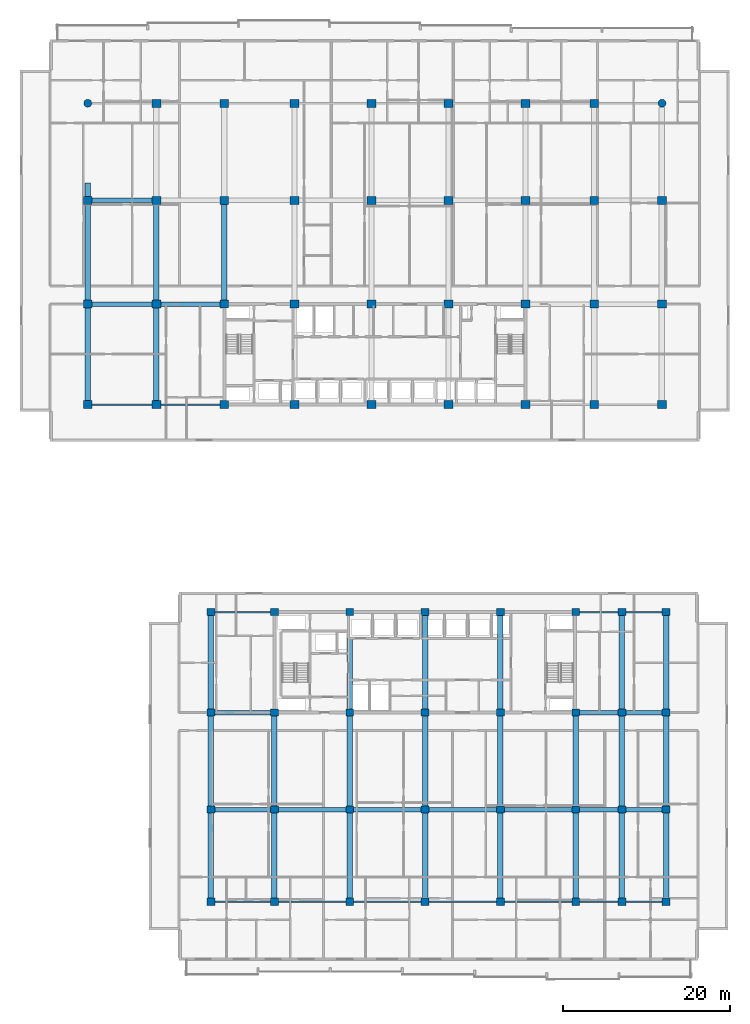
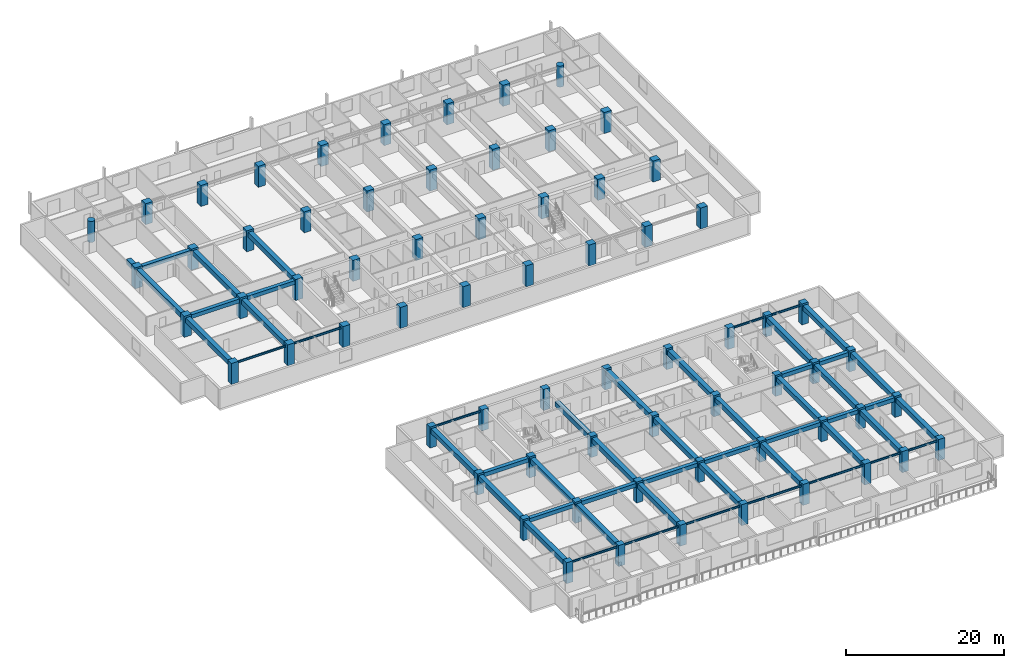
# One storey, part 1 of 23: 68 columns, 53 beams.
"""IFC4 building model written with IfcOpenShell, lengths in metres."""

from ifc_helpers import new_model, si_unit, direction, frame, origin, origin_2d, place, context, subcontext, project, spatial, rectangle, circle, i_section, extrude, material, material_profile, profile_set, type_object, element, save


model = new_model("IFC4")

# Units and contexts
model_context = context("Model", 3, precision=1e-05, world=origin(), true_north=direction((0.0, 1.0)))
body_context = subcontext(model_context, "Body", "Model", "MODEL_VIEW")
ifc_project = project(units=[si_unit("LENGTHUNIT", "METRE"), si_unit("AREAUNIT", "SQUARE_METRE"), si_unit("VOLUMEUNIT", "CUBIC_METRE"), si_unit("PLANEANGLEUNIT", "RADIAN"), si_unit("MASSUNIT", "GRAM", prefix="KILO")], contexts=[model_context])

# Site, building, storey
site_placement = place(None, origin())
site = spatial("IfcSite", under=ifc_project, at=site_placement, CompositionType="ELEMENT")
building_placement = place(site_placement, origin())
building = spatial("IfcBuilding", under=site, at=building_placement, Name="Korimba Cascade Residences", CompositionType="ELEMENT")
storey_placement = place(building_placement, frame((0.0, 0.0, 50.0)))
storey = spatial("IfcBuildingStorey", under=building, at=storey_placement, Name="L13", CompositionType="ELEMENT", Elevation=50.0)

# Columns
ifc_material_1 = material(Name="Concrete C80/95", Category="concrete")
ifc_material_profile_1 = material_profile(ifc_material_1, rectangle(XDim=1.050048828125, YDim=0.949951171875, at=origin_2d()), Name="Concrete C80/95")
ifc_profile_set_1 = profile_set([ifc_material_profile_1], Name="Concrete C80/95")
column_type_1 = type_object("IfcColumnType", Name="COL-RC-1050", PredefinedType="COLUMN", material=ifc_profile_set_1)
for number, where, z_axis, x_axis, name in (
    (1, (59.800048828125, 55.199951171875, 0.0), (0.0, 0.0, 1.0), (1.0, 0.0, 0.0), "L13 Tower 1 Column 1.1"),
    (2, (59.800048828125, 67.199951171875, 0.0), (0.0, 0.0, 1.0), (1.0, 0.0, 0.0), "L13 Tower 1 Column 1.2"),
    (3, (59.800048828125, 79.60009765625, 0.0), (0.0, 0.0, 1.0), (1.0, 0.0, 0.0), "L13 Tower 1 Column 1.3"),
    (4, (68.0, 55.199951171875, 0.0), (0.0, 0.0, 1.0), (1.0, 0.0, 0.0), "L13 Tower 1 Column 2.1"),
    (5, (68.0, 67.199951171875, 0.0), (0.0, 0.0, 1.0), (1.0, 0.0, 0.0), "L13 Tower 1 Column 2.2"),
    (6, (68.0, 79.60009765625, 0.0), (0.0, 0.0, 1.0), (1.0, 0.0, 0.0), "L13 Tower 1 Column 2.3"),
    (7, (68.0, 91.199951171875, 0.0), (0.0, 0.0, 1.0), (1.0, 0.0, 0.0), "L13 Tower 1 Column 2.4"),
    (8, (76.10009765625, 55.199951171875, 0.0), (0.0, 0.0, 1.0), (1.0, 0.0, 0.0), "L13 Tower 1 Column 3.1"),
    (9, (76.10009765625, 67.199951171875, 0.0), (0.0, 0.0, 1.0), (1.0, 0.0, 0.0), "L13 Tower 1 Column 3.2"),
    (10, (76.10009765625, 79.60009765625, 0.0), (0.0, 0.0, 1.0), (1.0, 0.0, 0.0), "L13 Tower 1 Column 3.3"),
    (11, (76.10009765625, 91.199951171875, 0.0), (0.0, 0.0, 1.0), (1.0, 0.0, 0.0), "L13 Tower 1 Column 3.4"),
    (12, (84.5, 55.199951171875, 0.0), (0.0, 0.0, 1.0), (1.0, 0.0, 0.0), "L13 Tower 1 Column 4.1"),
    (13, (84.5, 67.199951171875, 0.0), (0.0, 0.0, 1.0), (1.0, 0.0, 0.0), "L13 Tower 1 Column 4.2"),
    (14, (84.5, 79.60009765625, 0.0), (0.0, 0.0, 1.0), (1.0, 0.0, 0.0), "L13 Tower 1 Column 4.3"),
    (15, (84.5, 91.199951171875, 0.0), (0.0, 0.0, 1.0), (1.0, 0.0, 0.0), "L13 Tower 1 Column 4.4"),
    (16, (93.699951171875, 55.199951171875, 0.0), (0.0, 0.0, 1.0), (1.0, 0.0, 0.0), "L13 Tower 1 Column 5.1"),
    (17, (93.699951171875, 67.199951171875, 0.0), (0.0, 0.0, 1.0), (1.0, 0.0, 0.0), "L13 Tower 1 Column 5.2"),
    (18, (93.699951171875, 79.60009765625, 0.0), (0.0, 0.0, 1.0), (1.0, 0.0, 0.0), "L13 Tower 1 Column 5.3"),
    (19, (93.699951171875, 91.199951171875, 0.0), (0.0, 0.0, 1.0), (1.0, 0.0, 0.0), "L13 Tower 1 Column 5.4"),
    (20, (102.89990234375, 55.199951171875, 0.0), (0.0, 0.0, 1.0), (1.0, 0.0, 0.0), "L13 Tower 1 Column 6.1"),
    (21, (102.89990234375, 67.199951171875, 0.0), (0.0, 0.0, 1.0), (1.0, 0.0, 0.0), "L13 Tower 1 Column 6.2"),
    (22, (102.89990234375, 79.60009765625, 0.0), (0.0, 0.0, 1.0), (1.0, 0.0, 0.0), "L13 Tower 1 Column 6.3"),
    (23, (102.89990234375, 91.199951171875, 0.0), (0.0, 0.0, 1.0), (1.0, 0.0, 0.0), "L13 Tower 1 Column 6.4"),
    (24, (112.10009765625, 55.199951171875, 0.0), (0.0, 0.0, 1.0), (1.0, 0.0, 0.0), "L13 Tower 1 Column 7.1"),
    (25, (112.10009765625, 67.199951171875, 0.0), (0.0, 0.0, 1.0), (1.0, 0.0, 0.0), "L13 Tower 1 Column 7.2"),
    (26, (112.10009765625, 79.60009765625, 0.0), (0.0, 0.0, 1.0), (1.0, 0.0, 0.0), "L13 Tower 1 Column 7.3"),
    (27, (112.10009765625, 91.199951171875, 0.0), (0.0, 0.0, 1.0), (1.0, 0.0, 0.0), "L13 Tower 1 Column 7.4"),
    (28, (120.300048828125, 55.199951171875, 0.0), (0.0, 0.0, 1.0), (1.0, 0.0, 0.0), "L13 Tower 1 Column 8.1"),
    (29, (120.300048828125, 67.199951171875, 0.0), (0.0, 0.0, 1.0), (1.0, 0.0, 0.0), "L13 Tower 1 Column 8.2"),
    (30, (120.300048828125, 79.60009765625, 0.0), (0.0, 0.0, 1.0), (1.0, 0.0, 0.0), "L13 Tower 1 Column 8.3"),
    (31, (120.300048828125, 91.199951171875, 0.0), (0.0, 0.0, 1.0), (1.0, 0.0, 0.0), "L13 Tower 1 Column 8.4"),
    (32, (128.39990234375, 55.199951171875, 0.0), (0.0, 0.0, 1.0), (1.0, 0.0, 0.0), "L13 Tower 1 Column 9.1"),
    (33, (128.39990234375, 67.199951171875, 0.0), (0.0, 0.0, 1.0), (1.0, 0.0, 0.0), "L13 Tower 1 Column 9.2"),
    (34, (128.39990234375, 79.60009765625, 0.0), (0.0, 0.0, 1.0), (1.0, 0.0, 0.0), "L13 Tower 1 Column 9.3"),
):
    element("IfcColumn", number, at=place(storey_placement, frame(where, z_axis=z_axis, x_axis=x_axis)), inside=storey, type_object=column_type_1, Name=name, PredefinedType="COLUMN", context=body_context, shape_type="SweptSolid", body=[
        extrude(rectangle(XDim=1.050048828125, YDim=0.949951171875, at=origin_2d()), origin(), (0.0, 0.0, 1.0), 3.25),
    ])
ifc_material_2 = material(Name="Concrete C65/80", Category="concrete")
ifc_material_profile_2 = material_profile(ifc_material_2, rectangle(XDim=0.949951171875, YDim=0.85009765625, at=origin_2d()), Name="Concrete C65/80")
ifc_profile_set_2 = profile_set([ifc_material_profile_2], Name="Concrete C65/80")
column_type_2 = type_object("IfcColumnType", Name="COL-RC-950", PredefinedType="COLUMN", material=ifc_profile_set_2)
for number, where, z_axis, x_axis, name in (
    (35, (74.5, -4.199951171875, 0.0), (0.0, 0.0, 1.0), (1.0, 0.0, 0.0), "L13 Tower 2 Column 1.1"),
    (36, (74.5, 6.800048828125, 0.0), (0.0, 0.0, 1.0), (1.0, 0.0, 0.0), "L13 Tower 2 Column 1.2"),
    (37, (74.5, 18.39990234375, 0.0), (0.0, 0.0, 1.0), (1.0, 0.0, 0.0), "L13 Tower 2 Column 1.3"),
    (38, (74.5, 30.39990234375, 0.0), (0.0, 0.0, 1.0), (1.0, 0.0, 0.0), "L13 Tower 2 Column 1.4"),
    (39, (82.10009765625, -4.199951171875, 0.0), (0.0, 0.0, 1.0), (1.0, 0.0, 0.0), "L13 Tower 2 Column 2.1"),
    (40, (82.10009765625, 6.800048828125, 0.0), (0.0, 0.0, 1.0), (1.0, 0.0, 0.0), "L13 Tower 2 Column 2.2"),
    (41, (82.10009765625, 18.39990234375, 0.0), (0.0, 0.0, 1.0), (1.0, 0.0, 0.0), "L13 Tower 2 Column 2.3"),
    (42, (82.10009765625, 30.39990234375, 0.0), (0.0, 0.0, 1.0), (1.0, 0.0, 0.0), "L13 Tower 2 Column 2.4"),
    (43, (91.10009765625, -4.199951171875, 0.0), (0.0, 0.0, 1.0), (1.0, 0.0, 0.0), "L13 Tower 2 Column 3.1"),
    (44, (91.10009765625, 6.800048828125, 0.0), (0.0, 0.0, 1.0), (1.0, 0.0, 0.0), "L13 Tower 2 Column 3.2"),
    (45, (91.10009765625, 18.39990234375, 0.0), (0.0, 0.0, 1.0), (1.0, 0.0, 0.0), "L13 Tower 2 Column 3.3"),
    (46, (91.10009765625, 30.39990234375, 0.0), (0.0, 0.0, 1.0), (1.0, 0.0, 0.0), "L13 Tower 2 Column 3.4"),
    (47, (100.10009765625, -4.199951171875, 0.0), (0.0, 0.0, 1.0), (1.0, 0.0, 0.0), "L13 Tower 2 Column 4.1"),
    (48, (100.10009765625, 6.800048828125, 0.0), (0.0, 0.0, 1.0), (1.0, 0.0, 0.0), "L13 Tower 2 Column 4.2"),
    (49, (100.10009765625, 18.39990234375, 0.0), (0.0, 0.0, 1.0), (1.0, 0.0, 0.0), "L13 Tower 2 Column 4.3"),
    (50, (100.10009765625, 30.39990234375, 0.0), (0.0, 0.0, 1.0), (1.0, 0.0, 0.0), "L13 Tower 2 Column 4.4"),
    (51, (109.10009765625, -4.199951171875, 0.0), (0.0, 0.0, 1.0), (1.0, 0.0, 0.0), "L13 Tower 2 Column 5.1"),
    (52, (109.10009765625, 6.800048828125, 0.0), (0.0, 0.0, 1.0), (1.0, 0.0, 0.0), "L13 Tower 2 Column 5.2"),
    (53, (109.10009765625, 18.39990234375, 0.0), (0.0, 0.0, 1.0), (1.0, 0.0, 0.0), "L13 Tower 2 Column 5.3"),
    (54, (109.10009765625, 30.39990234375, 0.0), (0.0, 0.0, 1.0), (1.0, 0.0, 0.0), "L13 Tower 2 Column 5.4"),
    (55, (118.10009765625, -4.199951171875, 0.0), (0.0, 0.0, 1.0), (1.0, 0.0, 0.0), "L13 Tower 2 Column 6.1"),
    (56, (118.10009765625, 6.800048828125, 0.0), (0.0, 0.0, 1.0), (1.0, 0.0, 0.0), "L13 Tower 2 Column 6.2"),
    (57, (118.10009765625, 18.39990234375, 0.0), (0.0, 0.0, 1.0), (1.0, 0.0, 0.0), "L13 Tower 2 Column 6.3"),
    (58, (118.10009765625, 30.39990234375, 0.0), (0.0, 0.0, 1.0), (1.0, 0.0, 0.0), "L13 Tower 2 Column 6.4"),
    (59, (123.60009765625, -4.199951171875, 0.0), (0.0, 0.0, 1.0), (1.0, 0.0, 0.0), "L13 Tower 2 Column 7.1"),
    (60, (123.60009765625, 6.800048828125, 0.0), (0.0, 0.0, 1.0), (1.0, 0.0, 0.0), "L13 Tower 2 Column 7.2"),
    (61, (123.60009765625, 18.39990234375, 0.0), (0.0, 0.0, 1.0), (1.0, 0.0, 0.0), "L13 Tower 2 Column 7.3"),
    (62, (123.60009765625, 30.39990234375, 0.0), (0.0, 0.0, 1.0), (1.0, 0.0, 0.0), "L13 Tower 2 Column 7.4"),
    (63, (128.89990234375, -4.199951171875, 0.0), (0.0, 0.0, 1.0), (1.0, 0.0, 0.0), "L13 Tower 2 Column 8.1"),
    (64, (128.89990234375, 6.800048828125, 0.0), (0.0, 0.0, 1.0), (1.0, 0.0, 0.0), "L13 Tower 2 Column 8.2"),
    (65, (128.89990234375, 18.39990234375, 0.0), (0.0, 0.0, 1.0), (1.0, 0.0, 0.0), "L13 Tower 2 Column 8.3"),
    (66, (128.89990234375, 30.39990234375, 0.0), (0.0, 0.0, 1.0), (1.0, 0.0, 0.0), "L13 Tower 2 Column 8.4"),
):
    element("IfcColumn", number, at=place(storey_placement, frame(where, z_axis=z_axis, x_axis=x_axis)), inside=storey, type_object=column_type_2, Name=name, PredefinedType="COLUMN", context=body_context, shape_type="SweptSolid", body=[
        extrude(rectangle(XDim=0.949951171875, YDim=0.85009765625, at=origin_2d()), origin(), (0.0, 0.0, 1.0), 3.25),
    ])
ifc_material_profile_3 = material_profile(ifc_material_1, circle(Radius=0.47509765625, at=origin_2d()), Name="Concrete C80/95")
ifc_profile_set_3 = profile_set([ifc_material_profile_3], Name="Concrete C80/95")
column_type_3 = type_object("IfcColumnType", Name="COL-RC-D950", PredefinedType="COLUMN", material=ifc_profile_set_3)
for number, where, z_axis, x_axis, name in (
    (67, (59.800048828125, 91.199951171875, 0.0), (0.0, 0.0, 1.0), (1.0, 0.0, 0.0), "L13 Tower 1 Column 1.4"),
    (68, (128.39990234375, 91.199951171875, 0.0), (0.0, 0.0, 1.0), (1.0, 0.0, 0.0), "L13 Tower 1 Column 9.4"),
):
    element("IfcColumn", number, at=place(storey_placement, frame(where, z_axis=z_axis, x_axis=x_axis)), inside=storey, type_object=column_type_3, Name=name, PredefinedType="COLUMN", context=body_context, shape_type="SweptSolid", body=[
        extrude(circle(Radius=0.47509765625, at=origin_2d()), origin(), (0.0, 0.0, 1.0), 3.25),
    ])

# Beams
ifc_material_3 = material(Name="Concrete C50/60", Category="concrete")
ifc_material_profile_4 = material_profile(ifc_material_3, rectangle(XDim=0.550048828125, YDim=0.60009765625, at=origin_2d()), Name="Concrete C50/60")
ifc_profile_set_4 = profile_set([ifc_material_profile_4], Name="Concrete C50/60")
beam_type_1 = type_object("IfcBeamType", Name="BM-RC-B600", PredefinedType="BEAM", material=ifc_profile_set_4)
beam_1_placement = place(storey_placement, frame((60.324951171875, 67.199951171875, 2.669921875), z_axis=(1.0, 0.0, 0.0), x_axis=(0.0, 1.0, 0.0)))
element("IfcBeam", 69, at=beam_1_placement, inside=storey, type_object=beam_type_1, Name="L13 T1 E-W Girder Y2 Bay 1", PredefinedType="BEAM", context=body_context, shape_type="SweptSolid", body=[
    extrude(rectangle(XDim=0.550048828125, YDim=0.60009765625, at=origin_2d()), origin(), (0.0, 0.0, 1.0), 7.150146484375),
])
beam_2_placement = place(storey_placement, frame((68.52490234375, 67.199951171875, 2.669921875), z_axis=(1.0, 0.0, 0.0), x_axis=(0.0, 1.0, 0.0)))
element("IfcBeam", 70, at=beam_2_placement, inside=storey, type_object=beam_type_1, Name="L13 T1 E-W Girder Y2 Bay 2", PredefinedType="BEAM", context=body_context, shape_type="SweptSolid", body=[
    extrude(rectangle(XDim=0.550048828125, YDim=0.60009765625, at=origin_2d()), origin(), (0.0, 0.0, 1.0), 7.050048828125),
])
beam_3_placement = place(storey_placement, frame((60.324951171875, 79.60009765625, 2.669921875), z_axis=(1.0, 0.0, 0.0), x_axis=(0.0, 1.0, 0.0)))
element("IfcBeam", 71, at=beam_3_placement, inside=storey, type_object=beam_type_1, Name="L13 T1 E-W Girder Y3 Bay 1", PredefinedType="BEAM", context=body_context, shape_type="SweptSolid", body=[
    extrude(rectangle(XDim=0.550048828125, YDim=0.60009765625, at=origin_2d()), origin(), (0.0, 0.0, 1.0), 7.150146484375),
])
beam_4_placement = place(storey_placement, frame((74.97509765625, 6.800048828125, 2.669921875), z_axis=(1.0, 0.0, 0.0), x_axis=(0.0, 1.0, 0.0)))
element("IfcBeam", 72, at=beam_4_placement, inside=storey, type_object=beam_type_1, Name="L13 T2 E-W Girder Y2 Bay 1", PredefinedType="BEAM", context=body_context, shape_type="SweptSolid", body=[
    extrude(rectangle(XDim=0.550048828125, YDim=0.60009765625, at=origin_2d()), origin(), (0.0, 0.0, 1.0), 6.64990234375),
])
for number, where, z_axis, x_axis, name in (
    (73, (82.574951171875, 6.800048828125, 2.669921875), (1.0, 0.0, 0.0), (0.0, 1.0, 0.0), "L13 T2 E-W Girder Y2 Bay 2"),
    (74, (91.574951171875, 6.800048828125, 2.669921875), (1.0, 0.0, 0.0), (0.0, 1.0, 0.0), "L13 T2 E-W Girder Y2 Bay 3"),
    (75, (100.574951171875, 6.800048828125, 2.669921875), (1.0, 0.0, 0.0), (0.0, 1.0, 0.0), "L13 T2 E-W Girder Y2 Bay 4"),
    (76, (109.574951171875, 6.800048828125, 2.669921875), (1.0, 0.0, 0.0), (0.0, 1.0, 0.0), "L13 T2 E-W Girder Y2 Bay 5"),
):
    element("IfcBeam", number, at=place(storey_placement, frame(where, z_axis=z_axis, x_axis=x_axis)), inside=storey, type_object=beam_type_1, Name=name, PredefinedType="BEAM", context=body_context, shape_type="SweptSolid", body=[
        extrude(rectangle(XDim=0.550048828125, YDim=0.60009765625, at=origin_2d()), origin(), (0.0, 0.0, 1.0), 8.050048828125),
    ])
beam_5_placement = place(storey_placement, frame((118.574951171875, 6.800048828125, 2.669921875), z_axis=(1.0, 0.0, 0.0), x_axis=(0.0, 1.0, 0.0)))
element("IfcBeam", 77, at=beam_5_placement, inside=storey, type_object=beam_type_1, Name="L13 T2 E-W Girder Y2 Bay 6", PredefinedType="BEAM", context=body_context, shape_type="SweptSolid", body=[
    extrude(rectangle(XDim=0.550048828125, YDim=0.60009765625, at=origin_2d()), origin(), (0.0, 0.0, 1.0), 4.550048828125),
])
beam_6_placement = place(storey_placement, frame((124.074951171875, 6.800048828125, 2.669921875), z_axis=(1.0, 0.0, 0.0), x_axis=(0.0, 1.0, 0.0)))
element("IfcBeam", 78, at=beam_6_placement, inside=storey, type_object=beam_type_1, Name="L13 T2 E-W Girder Y2 Bay 7", PredefinedType="BEAM", context=body_context, shape_type="SweptSolid", body=[
    extrude(rectangle(XDim=0.550048828125, YDim=0.60009765625, at=origin_2d()), origin(), (0.0, 0.0, 1.0), 4.35009765625),
])
beam_7_placement = place(storey_placement, frame((74.97509765625, 18.39990234375, 2.669921875), z_axis=(1.0, 0.0, 0.0), x_axis=(0.0, 1.0, 0.0)))
element("IfcBeam", 79, at=beam_7_placement, inside=storey, type_object=beam_type_1, Name="L13 T2 E-W Girder Y3 Bay 1", PredefinedType="BEAM", context=body_context, shape_type="SweptSolid", body=[
    extrude(rectangle(XDim=0.550048828125, YDim=0.60009765625, at=origin_2d()), origin(), (0.0, 0.0, 1.0), 6.64990234375),
])
beam_8_placement = place(storey_placement, frame((118.574951171875, 18.39990234375, 2.669921875), z_axis=(1.0, 0.0, 0.0), x_axis=(0.0, 1.0, 0.0)))
element("IfcBeam", 80, at=beam_8_placement, inside=storey, type_object=beam_type_1, Name="L13 T2 E-W Girder Y3 Bay 6", PredefinedType="BEAM", context=body_context, shape_type="SweptSolid", body=[
    extrude(rectangle(XDim=0.550048828125, YDim=0.60009765625, at=origin_2d()), origin(), (0.0, 0.0, 1.0), 4.550048828125),
])
beam_9_placement = place(storey_placement, frame((124.074951171875, 18.39990234375, 2.669921875), z_axis=(1.0, 0.0, 0.0), x_axis=(0.0, 1.0, 0.0)))
element("IfcBeam", 81, at=beam_9_placement, inside=storey, type_object=beam_type_1, Name="L13 T2 E-W Girder Y3 Bay 7", PredefinedType="BEAM", context=body_context, shape_type="SweptSolid", body=[
    extrude(rectangle(XDim=0.550048828125, YDim=0.60009765625, at=origin_2d()), origin(), (0.0, 0.0, 1.0), 4.35009765625),
])
ifc_material_profile_5 = material_profile(ifc_material_3, rectangle(XDim=0.64990234375, YDim=0.75, at=origin_2d()), Name="Concrete C50/60")
ifc_profile_set_5 = profile_set([ifc_material_profile_5], Name="Concrete C50/60")
beam_type_2 = type_object("IfcBeamType", Name="BM-RC-G750", PredefinedType="BEAM", material=ifc_profile_set_5)
beam_10_placement = place(storey_placement, frame((59.800048828125, 55.675048828125, 2.594970703125), z_axis=(0.0, 1.0, 0.0), x_axis=(-1.0, 0.0, 0.0)))
element("IfcBeam", 82, at=beam_10_placement, inside=storey, type_object=beam_type_2, Name="L13 T1 N-S Girder X1 Seg 1", PredefinedType="BEAM", context=body_context, shape_type="SweptSolid", body=[
    extrude(rectangle(XDim=0.64990234375, YDim=0.75, at=origin_2d()), origin(), (0.0, 0.0, 1.0), 11.050048828125),
])
beam_11_placement = place(storey_placement, frame((59.800048828125, 67.675048828125, 2.594970703125), z_axis=(0.0, 1.0, 0.0), x_axis=(-1.0, 0.0, 0.0)))
element("IfcBeam", 83, at=beam_11_placement, inside=storey, type_object=beam_type_2, Name="L13 T1 N-S Girder X1 Seg 2", PredefinedType="BEAM", context=body_context, shape_type="SweptSolid", body=[
    extrude(rectangle(XDim=0.64990234375, YDim=0.75, at=origin_2d()), origin(), (0.0, 0.0, 1.0), 11.449951171875),
])
beam_12_placement = place(storey_placement, frame((59.800048828125, 80.074951171875, 2.594970703125), z_axis=(0.0, 1.0, 0.0), x_axis=(-1.0, 0.0, 0.0)))
element("IfcBeam", 84, at=beam_12_placement, inside=storey, type_object=beam_type_2, Name="L13 T1 N-S Girder X1 Seg 3", PredefinedType="BEAM", context=body_context, shape_type="SweptSolid", body=[
    extrude(rectangle(XDim=0.64990234375, YDim=0.75, at=origin_2d()), origin(), (0.0, 0.0, 1.0), 1.625),
])
beam_13_placement = place(storey_placement, frame((68.0, 55.675048828125, 2.594970703125), z_axis=(0.0, 1.0, 0.0), x_axis=(-1.0, 0.0, 0.0)))
element("IfcBeam", 85, at=beam_13_placement, inside=storey, type_object=beam_type_2, Name="L13 T1 N-S Girder X2 Seg 1", PredefinedType="BEAM", context=body_context, shape_type="SweptSolid", body=[
    extrude(rectangle(XDim=0.64990234375, YDim=0.75, at=origin_2d()), origin(), (0.0, 0.0, 1.0), 11.050048828125),
])
for number, where, z_axis, x_axis, name in (
    (86, (68.0, 67.675048828125, 2.594970703125), (0.0, 1.0, 0.0), (-1.0, 0.0, 0.0), "L13 T1 N-S Girder X2 Seg 2"),
    (87, (76.10009765625, 67.675048828125, 2.594970703125), (0.0, 1.0, 0.0), (-1.0, 0.0, 0.0), "L13 T1 N-S Girder X3 Seg 2"),
):
    element("IfcBeam", number, at=place(storey_placement, frame(where, z_axis=z_axis, x_axis=x_axis)), inside=storey, type_object=beam_type_2, Name=name, PredefinedType="BEAM", context=body_context, shape_type="SweptSolid", body=[
        extrude(rectangle(XDim=0.64990234375, YDim=0.75, at=origin_2d()), origin(), (0.0, 0.0, 1.0), 11.449951171875),
    ])
beam_14_placement = place(storey_placement, frame((74.5, -3.77490234375, 2.594970703125), z_axis=(0.0, 1.0, 0.0), x_axis=(-1.0, 0.0, 0.0)))
element("IfcBeam", 88, at=beam_14_placement, inside=storey, type_object=beam_type_2, Name="L13 T2 N-S Girder X1 Seg 1", PredefinedType="BEAM", context=body_context, shape_type="SweptSolid", body=[
    extrude(rectangle(XDim=0.64990234375, YDim=0.75, at=origin_2d()), origin(), (0.0, 0.0, 1.0), 10.14990234375),
])
beam_15_placement = place(storey_placement, frame((74.5, 7.22509765625, 2.594970703125), z_axis=(0.0, 1.0, 0.0), x_axis=(-1.0, 0.0, 0.0)))
element("IfcBeam", 89, at=beam_15_placement, inside=storey, type_object=beam_type_2, Name="L13 T2 N-S Girder X1 Seg 2", PredefinedType="BEAM", context=body_context, shape_type="SweptSolid", body=[
    extrude(rectangle(XDim=0.64990234375, YDim=0.75, at=origin_2d()), origin(), (0.0, 0.0, 1.0), 10.75),
])
beam_16_placement = place(storey_placement, frame((74.5, 18.824951171875, 2.594970703125), z_axis=(0.0, 1.0, 0.0), x_axis=(-1.0, 0.0, 0.0)))
element("IfcBeam", 90, at=beam_16_placement, inside=storey, type_object=beam_type_2, Name="L13 T2 N-S Girder X1 Seg 3", PredefinedType="BEAM", context=body_context, shape_type="SweptSolid", body=[
    extrude(rectangle(XDim=0.64990234375, YDim=0.75, at=origin_2d()), origin(), (0.0, 0.0, 1.0), 11.150146484375),
])
beam_17_placement = place(storey_placement, frame((82.10009765625, -3.77490234375, 2.594970703125), z_axis=(0.0, 1.0, 0.0), x_axis=(-1.0, 0.0, 0.0)))
element("IfcBeam", 91, at=beam_17_placement, inside=storey, type_object=beam_type_2, Name="L13 T2 N-S Girder X2 Seg 1", PredefinedType="BEAM", context=body_context, shape_type="SweptSolid", body=[
    extrude(rectangle(XDim=0.64990234375, YDim=0.75, at=origin_2d()), origin(), (0.0, 0.0, 1.0), 10.14990234375),
])
beam_18_placement = place(storey_placement, frame((82.10009765625, 7.22509765625, 2.594970703125), z_axis=(0.0, 1.0, 0.0), x_axis=(-1.0, 0.0, 0.0)))
element("IfcBeam", 92, at=beam_18_placement, inside=storey, type_object=beam_type_2, Name="L13 T2 N-S Girder X2 Seg 2", PredefinedType="BEAM", context=body_context, shape_type="SweptSolid", body=[
    extrude(rectangle(XDim=0.64990234375, YDim=0.75, at=origin_2d()), origin(), (0.0, 0.0, 1.0), 10.75),
])
beam_19_placement = place(storey_placement, frame((91.10009765625, -3.77490234375, 2.594970703125), z_axis=(0.0, 1.0, 0.0), x_axis=(-1.0, 0.0, 0.0)))
element("IfcBeam", 93, at=beam_19_placement, inside=storey, type_object=beam_type_2, Name="L13 T2 N-S Girder X3 Seg 1", PredefinedType="BEAM", context=body_context, shape_type="SweptSolid", body=[
    extrude(rectangle(XDim=0.64990234375, YDim=0.75, at=origin_2d()), origin(), (0.0, 0.0, 1.0), 10.14990234375),
])
beam_20_placement = place(storey_placement, frame((91.10009765625, 7.22509765625, 2.594970703125), z_axis=(0.0, 1.0, 0.0), x_axis=(-1.0, 0.0, 0.0)))
element("IfcBeam", 94, at=beam_20_placement, inside=storey, type_object=beam_type_2, Name="L13 T2 N-S Girder X3 Seg 2", PredefinedType="BEAM", context=body_context, shape_type="SweptSolid", body=[
    extrude(rectangle(XDim=0.64990234375, YDim=0.75, at=origin_2d()), origin(), (0.0, 0.0, 1.0), 10.75),
])
beam_21_placement = place(storey_placement, frame((91.10009765625, 18.824951171875, 2.594970703125), z_axis=(0.0, 1.0, 0.0), x_axis=(-1.0, 0.0, 0.0)))
element("IfcBeam", 95, at=beam_21_placement, inside=storey, type_object=beam_type_2, Name="L13 T2 N-S Girder X3 Seg 3", PredefinedType="BEAM", context=body_context, shape_type="SweptSolid", body=[
    extrude(rectangle(XDim=0.64990234375, YDim=0.75, at=origin_2d()), origin(), (0.0, 0.0, 1.0), 8.51513671875),
])
beam_22_placement = place(storey_placement, frame((100.10009765625, -3.77490234375, 2.594970703125), z_axis=(0.0, 1.0, 0.0), x_axis=(-1.0, 0.0, 0.0)))
element("IfcBeam", 96, at=beam_22_placement, inside=storey, type_object=beam_type_2, Name="L13 T2 N-S Girder X4 Seg 1", PredefinedType="BEAM", context=body_context, shape_type="SweptSolid", body=[
    extrude(rectangle(XDim=0.64990234375, YDim=0.75, at=origin_2d()), origin(), (0.0, 0.0, 1.0), 10.14990234375),
])
beam_23_placement = place(storey_placement, frame((100.10009765625, 7.22509765625, 2.594970703125), z_axis=(0.0, 1.0, 0.0), x_axis=(-1.0, 0.0, 0.0)))
element("IfcBeam", 97, at=beam_23_placement, inside=storey, type_object=beam_type_2, Name="L13 T2 N-S Girder X4 Seg 2", PredefinedType="BEAM", context=body_context, shape_type="SweptSolid", body=[
    extrude(rectangle(XDim=0.64990234375, YDim=0.75, at=origin_2d()), origin(), (0.0, 0.0, 1.0), 10.75),
])
beam_24_placement = place(storey_placement, frame((100.10009765625, 18.824951171875, 2.594970703125), z_axis=(0.0, 1.0, 0.0), x_axis=(-1.0, 0.0, 0.0)))
element("IfcBeam", 98, at=beam_24_placement, inside=storey, type_object=beam_type_2, Name="L13 T2 N-S Girder X4 Seg 3", PredefinedType="BEAM", context=body_context, shape_type="SweptSolid", body=[
    extrude(rectangle(XDim=0.64990234375, YDim=0.75, at=origin_2d()), origin(), (0.0, 0.0, 1.0), 11.150146484375),
])
beam_25_placement = place(storey_placement, frame((109.10009765625, -3.77490234375, 2.594970703125), z_axis=(0.0, 1.0, 0.0), x_axis=(-1.0, 0.0, 0.0)))
element("IfcBeam", 99, at=beam_25_placement, inside=storey, type_object=beam_type_2, Name="L13 T2 N-S Girder X5 Seg 1", PredefinedType="BEAM", context=body_context, shape_type="SweptSolid", body=[
    extrude(rectangle(XDim=0.64990234375, YDim=0.75, at=origin_2d()), origin(), (0.0, 0.0, 1.0), 10.14990234375),
])
beam_26_placement = place(storey_placement, frame((109.10009765625, 7.22509765625, 2.594970703125), z_axis=(0.0, 1.0, 0.0), x_axis=(-1.0, 0.0, 0.0)))
element("IfcBeam", 100, at=beam_26_placement, inside=storey, type_object=beam_type_2, Name="L13 T2 N-S Girder X5 Seg 2", PredefinedType="BEAM", context=body_context, shape_type="SweptSolid", body=[
    extrude(rectangle(XDim=0.64990234375, YDim=0.75, at=origin_2d()), origin(), (0.0, 0.0, 1.0), 10.75),
])
beam_27_placement = place(storey_placement, frame((109.10009765625, 18.824951171875, 2.594970703125), z_axis=(0.0, 1.0, 0.0), x_axis=(-1.0, 0.0, 0.0)))
element("IfcBeam", 101, at=beam_27_placement, inside=storey, type_object=beam_type_2, Name="L13 T2 N-S Girder X5 Seg 3", PredefinedType="BEAM", context=body_context, shape_type="SweptSolid", body=[
    extrude(rectangle(XDim=0.64990234375, YDim=0.75, at=origin_2d()), origin(), (0.0, 0.0, 1.0), 11.150146484375),
])
beam_28_placement = place(storey_placement, frame((118.10009765625, -3.77490234375, 2.594970703125), z_axis=(0.0, 1.0, 0.0), x_axis=(-1.0, 0.0, 0.0)))
element("IfcBeam", 102, at=beam_28_placement, inside=storey, type_object=beam_type_2, Name="L13 T2 N-S Girder X6 Seg 1", PredefinedType="BEAM", context=body_context, shape_type="SweptSolid", body=[
    extrude(rectangle(XDim=0.64990234375, YDim=0.75, at=origin_2d()), origin(), (0.0, 0.0, 1.0), 10.14990234375),
])
beam_29_placement = place(storey_placement, frame((118.10009765625, 7.22509765625, 2.594970703125), z_axis=(0.0, 1.0, 0.0), x_axis=(-1.0, 0.0, 0.0)))
element("IfcBeam", 103, at=beam_29_placement, inside=storey, type_object=beam_type_2, Name="L13 T2 N-S Girder X6 Seg 2", PredefinedType="BEAM", context=body_context, shape_type="SweptSolid", body=[
    extrude(rectangle(XDim=0.64990234375, YDim=0.75, at=origin_2d()), origin(), (0.0, 0.0, 1.0), 10.75),
])
beam_30_placement = place(storey_placement, frame((123.60009765625, -3.77490234375, 2.594970703125), z_axis=(0.0, 1.0, 0.0), x_axis=(-1.0, 0.0, 0.0)))
element("IfcBeam", 104, at=beam_30_placement, inside=storey, type_object=beam_type_2, Name="L13 T2 N-S Girder X7 Seg 1", PredefinedType="BEAM", context=body_context, shape_type="SweptSolid", body=[
    extrude(rectangle(XDim=0.64990234375, YDim=0.75, at=origin_2d()), origin(), (0.0, 0.0, 1.0), 10.14990234375),
])
beam_31_placement = place(storey_placement, frame((123.60009765625, 7.22509765625, 2.594970703125), z_axis=(0.0, 1.0, 0.0), x_axis=(-1.0, 0.0, 0.0)))
element("IfcBeam", 105, at=beam_31_placement, inside=storey, type_object=beam_type_2, Name="L13 T2 N-S Girder X7 Seg 2", PredefinedType="BEAM", context=body_context, shape_type="SweptSolid", body=[
    extrude(rectangle(XDim=0.64990234375, YDim=0.75, at=origin_2d()), origin(), (0.0, 0.0, 1.0), 10.75),
])
beam_32_placement = place(storey_placement, frame((123.60009765625, 18.824951171875, 2.594970703125), z_axis=(0.0, 1.0, 0.0), x_axis=(-1.0, 0.0, 0.0)))
element("IfcBeam", 106, at=beam_32_placement, inside=storey, type_object=beam_type_2, Name="L13 T2 N-S Girder X7 Seg 3", PredefinedType="BEAM", context=body_context, shape_type="SweptSolid", body=[
    extrude(rectangle(XDim=0.64990234375, YDim=0.75, at=origin_2d()), origin(), (0.0, 0.0, 1.0), 11.150146484375),
])
beam_33_placement = place(storey_placement, frame((128.89990234375, -3.77490234375, 2.594970703125), z_axis=(0.0, 1.0, 0.0), x_axis=(-1.0, 0.0, 0.0)))
element("IfcBeam", 107, at=beam_33_placement, inside=storey, type_object=beam_type_2, Name="L13 T2 N-S Girder X8 Seg 1", PredefinedType="BEAM", context=body_context, shape_type="SweptSolid", body=[
    extrude(rectangle(XDim=0.64990234375, YDim=0.75, at=origin_2d()), origin(), (0.0, 0.0, 1.0), 10.14990234375),
])
beam_34_placement = place(storey_placement, frame((128.89990234375, 7.22509765625, 2.594970703125), z_axis=(0.0, 1.0, 0.0), x_axis=(-1.0, 0.0, 0.0)))
element("IfcBeam", 108, at=beam_34_placement, inside=storey, type_object=beam_type_2, Name="L13 T2 N-S Girder X8 Seg 2", PredefinedType="BEAM", context=body_context, shape_type="SweptSolid", body=[
    extrude(rectangle(XDim=0.64990234375, YDim=0.75, at=origin_2d()), origin(), (0.0, 0.0, 1.0), 10.75),
])
beam_35_placement = place(storey_placement, frame((128.89990234375, 18.824951171875, 2.594970703125), z_axis=(0.0, 1.0, 0.0), x_axis=(-1.0, 0.0, 0.0)))
element("IfcBeam", 109, at=beam_35_placement, inside=storey, type_object=beam_type_2, Name="L13 T2 N-S Girder X8 Seg 3", PredefinedType="BEAM", context=body_context, shape_type="SweptSolid", body=[
    extrude(rectangle(XDim=0.64990234375, YDim=0.75, at=origin_2d()), origin(), (0.0, 0.0, 1.0), 11.150146484375),
])
ifc_material_4 = material(Name="Steel S355", Category="steel")
ifc_material_profile_6 = material_profile(ifc_material_4, i_section(OverallWidth=0.165771484375, OverallDepth=0.306640625, WebThickness=0.006591796875, FlangeThickness=0.01171875, FilletRadius=0.0087890625, at=origin_2d()), Name="Steel S355")
ifc_profile_set_6 = profile_set([ifc_material_profile_6], Name="Steel S355")
beam_type_3 = type_object("IfcBeamType", Name="BM-STL-UB305", PredefinedType="SPANDREL", material=ifc_profile_set_6)
beam_36_placement = place(storey_placement, frame((60.324951171875, 55.199951171875, 2.816650390625), z_axis=(1.0, 0.0, 0.0), x_axis=(0.0, 1.0, 0.0)))
element("IfcBeam", 110, at=beam_36_placement, inside=storey, type_object=beam_type_3, Name="L13 T1 E-W Girder Y1 Bay 1", PredefinedType="SPANDREL", context=body_context, shape_type="SweptSolid", body=[
    extrude(i_section(OverallWidth=0.165771484375, OverallDepth=0.306640625, WebThickness=0.006591796875, FlangeThickness=0.01171875, FilletRadius=0.0087890625, at=origin_2d()), origin(), (0.0, 0.0, 1.0), 7.150146484375),
])
beam_37_placement = place(storey_placement, frame((68.52490234375, 55.199951171875, 2.816650390625), z_axis=(1.0, 0.0, 0.0), x_axis=(0.0, 1.0, 0.0)))
element("IfcBeam", 111, at=beam_37_placement, inside=storey, type_object=beam_type_3, Name="L13 T1 E-W Girder Y1 Bay 2", PredefinedType="SPANDREL", context=body_context, shape_type="SweptSolid", body=[
    extrude(i_section(OverallWidth=0.165771484375, OverallDepth=0.306640625, WebThickness=0.006591796875, FlangeThickness=0.01171875, FilletRadius=0.0087890625, at=origin_2d()), origin(), (0.0, 0.0, 1.0), 7.050048828125),
])
beam_38_placement = place(storey_placement, frame((74.97509765625, -4.199951171875, 2.816650390625), z_axis=(1.0, 0.0, 0.0), x_axis=(0.0, 1.0, 0.0)))
element("IfcBeam", 112, at=beam_38_placement, inside=storey, type_object=beam_type_3, Name="L13 T2 E-W Girder Y1 Bay 1", PredefinedType="SPANDREL", context=body_context, shape_type="SweptSolid", body=[
    extrude(i_section(OverallWidth=0.165771484375, OverallDepth=0.306640625, WebThickness=0.006591796875, FlangeThickness=0.01171875, FilletRadius=0.0087890625, at=origin_2d()), origin(), (0.0, 0.0, 1.0), 6.64990234375),
])
for number, where, z_axis, x_axis, name in (
    (113, (82.574951171875, -4.199951171875, 2.816650390625), (1.0, 0.0, 0.0), (0.0, 1.0, 0.0), "L13 T2 E-W Girder Y1 Bay 2"),
    (114, (91.574951171875, -4.199951171875, 2.816650390625), (1.0, 0.0, 0.0), (0.0, 1.0, 0.0), "L13 T2 E-W Girder Y1 Bay 3"),
    (115, (100.574951171875, -4.199951171875, 2.816650390625), (1.0, 0.0, 0.0), (0.0, 1.0, 0.0), "L13 T2 E-W Girder Y1 Bay 4"),
    (116, (109.574951171875, -4.199951171875, 2.816650390625), (1.0, 0.0, 0.0), (0.0, 1.0, 0.0), "L13 T2 E-W Girder Y1 Bay 5"),
):
    element("IfcBeam", number, at=place(storey_placement, frame(where, z_axis=z_axis, x_axis=x_axis)), inside=storey, type_object=beam_type_3, Name=name, PredefinedType="SPANDREL", context=body_context, shape_type="SweptSolid", body=[
        extrude(i_section(OverallWidth=0.165771484375, OverallDepth=0.306640625, WebThickness=0.006591796875, FlangeThickness=0.01171875, FilletRadius=0.0087890625, at=origin_2d()), origin(), (0.0, 0.0, 1.0), 8.050048828125),
    ])
beam_39_placement = place(storey_placement, frame((118.574951171875, -4.199951171875, 2.816650390625), z_axis=(1.0, 0.0, 0.0), x_axis=(0.0, 1.0, 0.0)))
element("IfcBeam", 117, at=beam_39_placement, inside=storey, type_object=beam_type_3, Name="L13 T2 E-W Girder Y1 Bay 6", PredefinedType="SPANDREL", context=body_context, shape_type="SweptSolid", body=[
    extrude(i_section(OverallWidth=0.165771484375, OverallDepth=0.306640625, WebThickness=0.006591796875, FlangeThickness=0.01171875, FilletRadius=0.0087890625, at=origin_2d()), origin(), (0.0, 0.0, 1.0), 4.550048828125),
])
beam_40_placement = place(storey_placement, frame((124.074951171875, -4.199951171875, 2.816650390625), z_axis=(1.0, 0.0, 0.0), x_axis=(0.0, 1.0, 0.0)))
element("IfcBeam", 118, at=beam_40_placement, inside=storey, type_object=beam_type_3, Name="L13 T2 E-W Girder Y1 Bay 7", PredefinedType="SPANDREL", context=body_context, shape_type="SweptSolid", body=[
    extrude(i_section(OverallWidth=0.165771484375, OverallDepth=0.306640625, WebThickness=0.006591796875, FlangeThickness=0.01171875, FilletRadius=0.0087890625, at=origin_2d()), origin(), (0.0, 0.0, 1.0), 4.35009765625),
])
beam_41_placement = place(storey_placement, frame((74.97509765625, 30.39990234375, 2.816650390625), z_axis=(1.0, 0.0, 0.0), x_axis=(0.0, 1.0, 0.0)))
element("IfcBeam", 119, at=beam_41_placement, inside=storey, type_object=beam_type_3, Name="L13 T2 E-W Girder Y4 Bay 1", PredefinedType="SPANDREL", context=body_context, shape_type="SweptSolid", body=[
    extrude(i_section(OverallWidth=0.165771484375, OverallDepth=0.306640625, WebThickness=0.006591796875, FlangeThickness=0.01171875, FilletRadius=0.0087890625, at=origin_2d()), origin(), (0.0, 0.0, 1.0), 6.64990234375),
])
beam_42_placement = place(storey_placement, frame((118.574951171875, 30.39990234375, 2.816650390625), z_axis=(1.0, 0.0, 0.0), x_axis=(0.0, 1.0, 0.0)))
element("IfcBeam", 120, at=beam_42_placement, inside=storey, type_object=beam_type_3, Name="L13 T2 E-W Girder Y4 Bay 6", PredefinedType="SPANDREL", context=body_context, shape_type="SweptSolid", body=[
    extrude(i_section(OverallWidth=0.165771484375, OverallDepth=0.306640625, WebThickness=0.006591796875, FlangeThickness=0.01171875, FilletRadius=0.0087890625, at=origin_2d()), origin(), (0.0, 0.0, 1.0), 4.550048828125),
])
beam_43_placement = place(storey_placement, frame((124.074951171875, 30.39990234375, 2.816650390625), z_axis=(1.0, 0.0, 0.0), x_axis=(0.0, 1.0, 0.0)))
element("IfcBeam", 121, at=beam_43_placement, inside=storey, type_object=beam_type_3, Name="L13 T2 E-W Girder Y4 Bay 7", PredefinedType="SPANDREL", context=body_context, shape_type="SweptSolid", body=[
    extrude(i_section(OverallWidth=0.165771484375, OverallDepth=0.306640625, WebThickness=0.006591796875, FlangeThickness=0.01171875, FilletRadius=0.0087890625, at=origin_2d()), origin(), (0.0, 0.0, 1.0), 4.35009765625),
])

save(model, "model.ifc")
